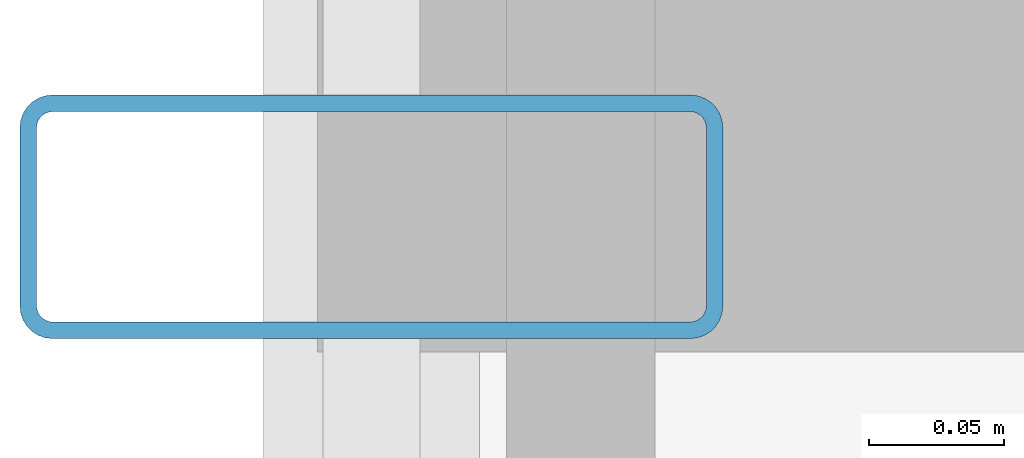
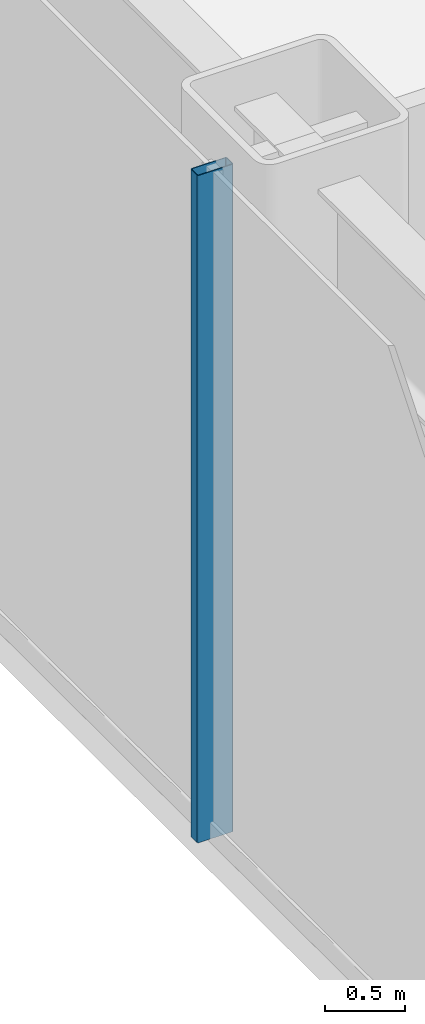
# One storey, part 4 of 24: 1 member, 1 element without a shape of its own.
"""IFC4 building model written with IfcOpenShell, lengths in metres."""

from ifc_helpers import new_model, si_unit, direction, frame, origin, origin_2d, place, context, subcontext, project, spatial, hollow_rectangle, extrude, source, transform, mapped, material, layer, layer_set, material_profile, profile_set, type_object, element, aggregate, save


model = new_model("IFC4")

# Units and contexts
model_context = context("Model", 3, precision=1e-05, world=origin(), true_north=direction((0.0, 1.0)))
body_context = subcontext(model_context, "Body", "Model", "MODEL_VIEW")
ifc_project = project(units=[si_unit("LENGTHUNIT", "METRE"), si_unit("AREAUNIT", "SQUARE_METRE"), si_unit("VOLUMEUNIT", "CUBIC_METRE"), si_unit("PLANEANGLEUNIT", "RADIAN"), si_unit("MASSUNIT", "GRAM", prefix="KILO")], contexts=[model_context])

# Site, building, storey
site_placement = place(None, origin())
site = spatial("IfcSite", under=ifc_project, at=site_placement, CompositionType="ELEMENT")
building_placement = place(site_placement, origin())
building = spatial("IfcBuilding", under=site, at=building_placement, Name="Nefas-Gora Pilgrimage Tower", CompositionType="ELEMENT")
storey_placement = place(building_placement, frame((0.0, 0.0, 16.800048828125)))
storey = spatial("IfcBuildingStorey", under=building, at=storey_placement, Name="L03", CompositionType="ELEMENT", Elevation=16.800048828125)

# Curtain wall, member
ifc_material_1 = material(Name="Dark ceramic-fritted solar-control aluminium-glass curtain wall", Category="aluminium")
ifc_layer = layer(ifc_material_1, 0.219970703125)
ifc_layer_set = layer_set([ifc_layer], Name="Dark ceramic-fritted solar-control aluminium-glass curtain wall")
curtain_wall_type = type_object("IfcCurtainWallType", Name="CW-SYS-1", PredefinedType="NOTDEFINED", material=ifc_layer_set)
curtain_wall_placement = place(storey_placement, origin())
curtain_wall = element("IfcCurtainWall", 1, at=curtain_wall_placement, inside=storey, type_object=curtain_wall_type, Name="L03 Unitised Curtain Wall CW1", PredefinedType="NOTDEFINED")
ifc_material_2 = material(Name="Anodised architectural aluminium", Category="aluminium")
ifc_material_profile = material_profile(ifc_material_2, hollow_rectangle(XDim=0.090087890625, YDim=0.260009765625, WallThickness=0.006103515625, InnerFilletRadius=0.006103515625, OuterFilletRadius=0.011962890625, at=origin_2d()), Name="ALU MULLION 90x260")
ifc_profile_set = profile_set([ifc_material_profile], Name="Anodised architectural aluminium")
member_type = type_object("IfcMemberType", Name="CWM-MUL-1", PredefinedType="MULLION", material=ifc_profile_set)
shared_shape = source(origin(), body_context, "Body", "SweptSolid", [
    extrude(hollow_rectangle(XDim=0.090087890625, YDim=0.260009765625, WallThickness=0.006103515625, InnerFilletRadius=0.006103515625, OuterFilletRadius=0.011962890625, at=origin_2d()), origin(), (0.0, 0.0, 1.0), 5.099853515625),
])
member_placement = place(storey_placement, frame((-38.25, 0.0, 0.0), z_axis=(0.0, 0.0, 1.0), x_axis=(0.0, -1.0, 0.0)))
member = element("IfcMember", 2, at=member_placement, type_object=member_type, Name="CW1 Mullion 2", PredefinedType="MULLION", context=body_context, shape_type="MappedRepresentation", body=[
    mapped(shared_shape, transform((0.0, 0.0, 0.0), x_axis=(1.0, 0.0, 0.0), y_axis=(0.0, 1.0, 0.0), z_axis=(0.0, 0.0, 1.0), scale=1.0)),
])
aggregate(curtain_wall, [member])

save(model, "model.ifc")
